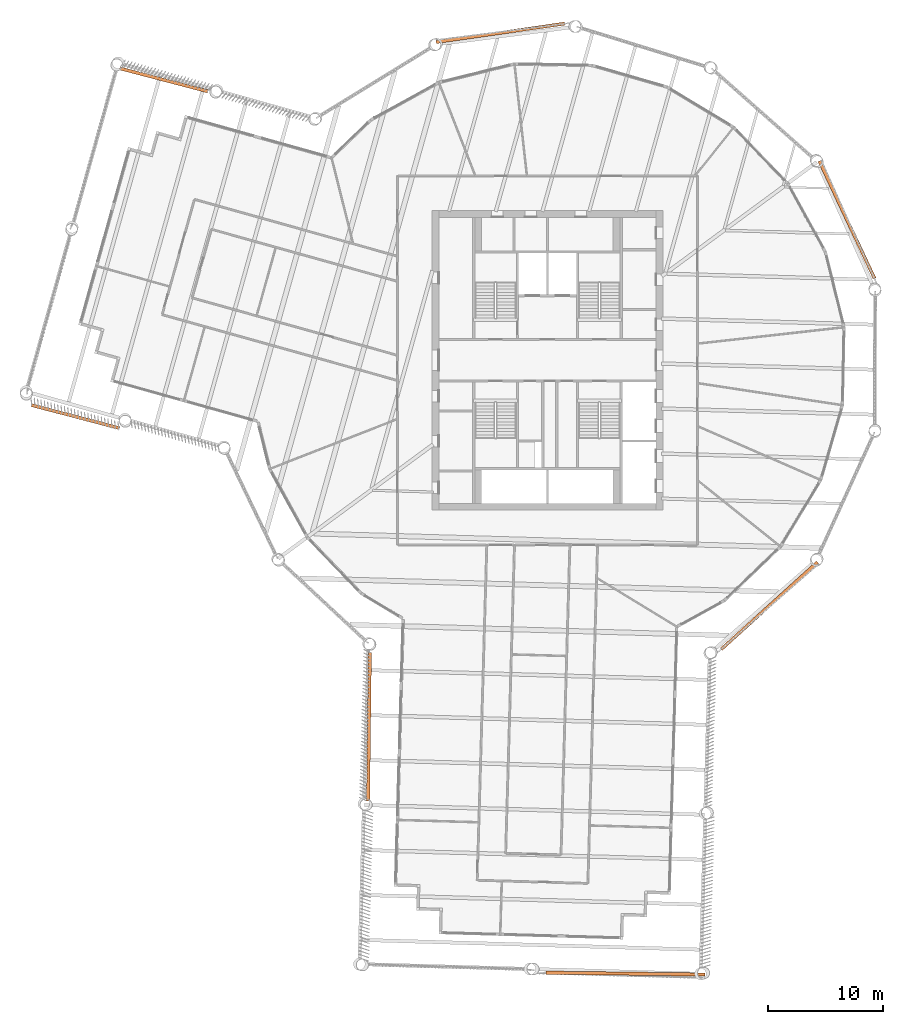
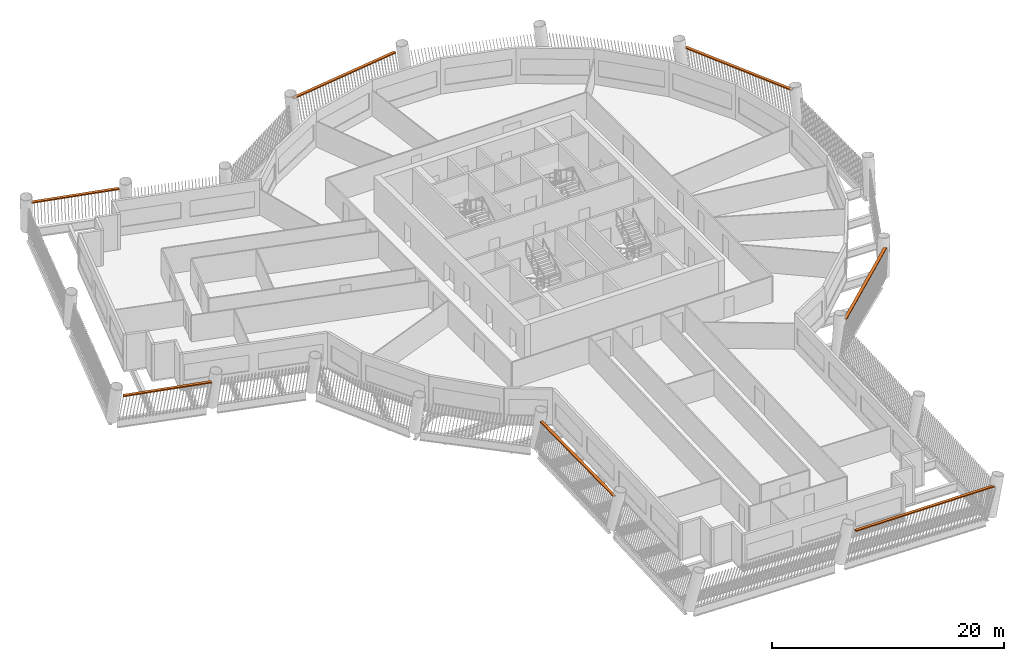
# One storey, part 15 of 15: 7 proxies.
"""IFC4 building model written with IfcOpenShell, lengths in metres."""

from ifc_helpers import new_model, si_unit, direction, frame, origin, origin_2d, place, context, subcontext, project, spatial, rectangle, extrude, material, type_object, element, save


model = new_model("IFC4")

# Units and contexts
model_context = context("Model", 3, precision=1e-05, world=origin(), true_north=direction((0.0, 1.0)))
body_context = subcontext(model_context, "Body", "Model", "MODEL_VIEW")
ifc_project = project(units=[si_unit("LENGTHUNIT", "METRE"), si_unit("AREAUNIT", "SQUARE_METRE"), si_unit("VOLUMEUNIT", "CUBIC_METRE"), si_unit("PLANEANGLEUNIT", "RADIAN"), si_unit("MASSUNIT", "GRAM", prefix="KILO")], contexts=[model_context])

# Site, building, storey
site_placement = place(None, origin())
site = spatial("IfcSite", under=ifc_project, at=site_placement, CompositionType="ELEMENT")
building_placement = place(site_placement, origin())
building = spatial("IfcBuilding", under=site, at=building_placement, Name="Tarsis Ring Headquarters", CompositionType="ELEMENT")
storey_placement = place(building_placement, frame((0.0, 0.0, 219.89990234375)))
storey = spatial("IfcBuildingStorey", under=building, at=storey_placement, Name="L51", CompositionType="ELEMENT", Elevation=219.89990234375)

# Proxies
ifc_material = material(Name="Structural steel S355", Category="steel")
building_element_proxy_type = type_object("IfcBuildingElementProxyType", Name="Screen bracket plate", PredefinedType="USERDEFINED", material=ifc_material)
proxy_1_placement = place(storey_placement, frame((-15.47314453125, -31.76513671875, 2.949951171875), z_axis=(0.0, 0.0, 1.0), x_axis=(-0.011867942846, -0.999929573486, 0.0)))
element("IfcBuildingElementProxy", 1, at=proxy_1_placement, inside=storey, type_object=building_element_proxy_type, Name="Screen bracket L51-01", ObjectType="Bracket", PredefinedType="USERDEFINED", context=body_context, shape_type="SweptSolid", body=[
    extrude(rectangle(XDim=12.90234375, YDim=0.280029296875, at=origin_2d()), origin(), (0.0, 0.0, 1.0), 0.1201171875),
])
proxy_2_placement = place(storey_placement, frame((6.769287109375, -53.178955078125, 2.949951171875), z_axis=(0.0, 0.0, 1.0), x_axis=(0.999929573072, -0.011867977751, 0.0)))
element("IfcBuildingElementProxy", 2, at=proxy_2_placement, inside=storey, type_object=building_element_proxy_type, Name="Screen bracket L51-04", ObjectType="Bracket", PredefinedType="USERDEFINED", context=body_context, shape_type="SweptSolid", body=[
    extrude(rectangle(XDim=13.800048828125, YDim=0.280029296875, at=origin_2d()), origin(), (0.0, 0.0, 1.0), 0.1201171875),
])
for number, where, z_axis, x_axis, name in (
    (3, (19.242919921875, -21.280517578125, 2.949951171875), (0.0, 0.0, 1.0), (0.741726836118, 0.670702095257, 0.0), "Screen bracket L51-07"),
    (4, (25.970947265625, 12.192626953125, 2.949951171875), (0.0, 0.0, 1.0), (-0.424969770515, 0.90520754203, 0.0), "Screen bracket L51-10"),
    (5, (-4.080322265625, 28.39892578125, 2.949951171875), (0.0, 0.0, 1.0), (-0.989835324895, -0.142218246334, 0.0), "Screen bracket L51-13"),
):
    element("IfcBuildingElementProxy", number, at=place(storey_placement, frame(where, z_axis=z_axis, x_axis=x_axis)), inside=storey, type_object=building_element_proxy_type, Name=name, ObjectType="Bracket", PredefinedType="USERDEFINED", context=body_context, shape_type="SweptSolid", body=[
        extrude(rectangle(XDim=11.248779296875, YDim=0.280029296875, at=origin_2d()), origin(), (0.0, 0.0, 1.0), 0.1201171875),
    ])
for number, where, z_axis, x_axis, name in (
    (6, (-33.271728515625, 24.320556640625, 2.949951171875), (0.0, 0.0, 1.0), (-0.967356267654, 0.253420305875, 0.0), "Screen bracket L51-16"),
    (7, (-40.92236328125, -4.8837890625, 2.949951171875), (0.0, 0.0, 1.0), (0.967356285347, -0.253420238341, 0.0), "Screen bracket L51-19"),
):
    element("IfcBuildingElementProxy", number, at=place(storey_placement, frame(where, z_axis=z_axis, x_axis=x_axis)), inside=storey, type_object=building_element_proxy_type, Name=name, ObjectType="Bracket", PredefinedType="USERDEFINED", context=body_context, shape_type="SweptSolid", body=[
        extrude(rectangle(XDim=7.90234375, YDim=0.280029296875, at=origin_2d()), origin(), (0.0, 0.0, 1.0), 0.1201171875),
    ])

save(model, "model.ifc")
